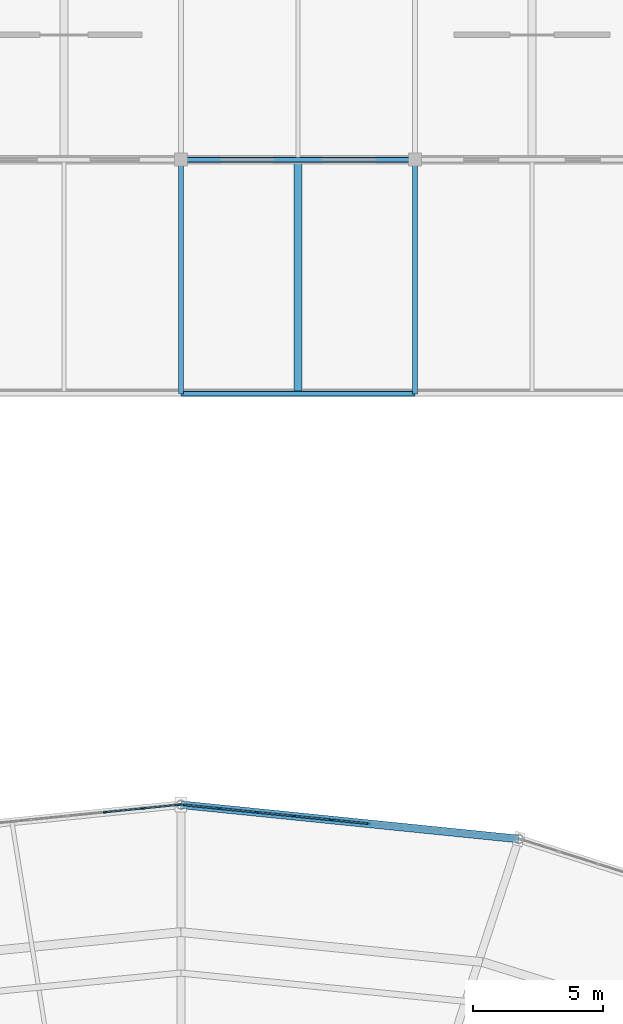
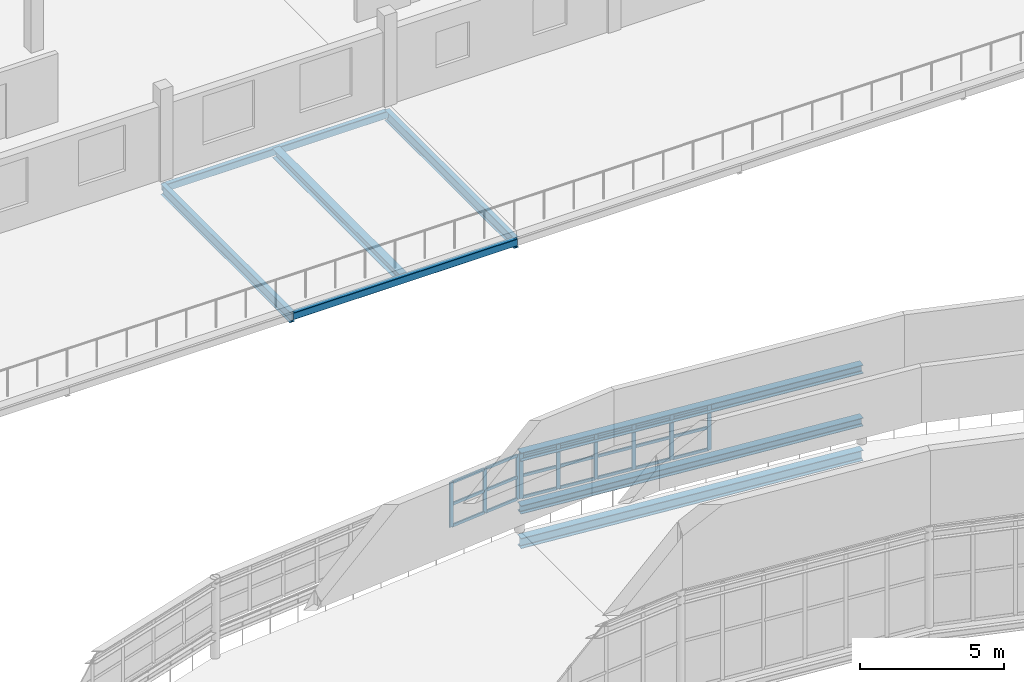
# One storey, part 74 of 123: 30 members, 8 beams, 2 elements without a shape of their own.
"""IFC4 building model written with IfcOpenShell, lengths in metres."""

from ifc_helpers import new_model, si_unit, direction, frame, origin, origin_2d, place, context, subcontext, project, spatial, rectangle, hollow_rectangle, i_section, extrude, material, material_profile, profile_set, type_object, element, aggregate, save


model = new_model("IFC4")

# Units and contexts
model_context = context("Model", 3, precision=1e-05, world=origin(), true_north=direction((0.0, 1.0)))
body_context = subcontext(model_context, "Body", "Model", "MODEL_VIEW")
ifc_project = project(units=[si_unit("LENGTHUNIT", "METRE"), si_unit("AREAUNIT", "SQUARE_METRE"), si_unit("VOLUMEUNIT", "CUBIC_METRE"), si_unit("PLANEANGLEUNIT", "RADIAN"), si_unit("MASSUNIT", "GRAM", prefix="KILO")], contexts=[model_context])

# Site, building, storey
site_placement = place(None, origin())
site = spatial("IfcSite", under=ifc_project, at=site_placement, CompositionType="ELEMENT")
building_placement = place(site_placement, origin())
building = spatial("IfcBuilding", under=site, at=building_placement, Name="Kildeholm Park Wholesale Market", CompositionType="ELEMENT")
storey_placement = place(building_placement, frame((0.0, 0.0, 9.60009765625)))
storey = spatial("IfcBuildingStorey", under=building, at=storey_placement, Name="L02", CompositionType="ELEMENT", Elevation=9.60009765625)

# Beams
ifc_material_1 = material(Name="Steel S355", Category="steel")
ifc_material_profile_1 = material_profile(ifc_material_1, i_section(OverallWidth=0.18994140625, OverallDepth=0.449951171875, WebThickness=0.009521484375, FlangeThickness=0.0146484375, FilletRadius=0.02099609375, at=origin_2d()), Name="IPE 450")
ifc_profile_set_1 = profile_set([ifc_material_profile_1], Name="Steel S355")
beam_type_1 = type_object("IfcBeamType", Name="Beam B-P02 IPE 450", PredefinedType="BEAM", material=ifc_profile_set_1)
for number, where, z_axis, x_axis, name in (
    (1, (99.0, 144.0, -0.51513671875), (0.0, 1.0, 0.0), (-1.0, 0.0, 0.0), "Beam BM-V4-L02-Y-099-144 BM-1023"),
    (2, (108.0, 144.0, -0.51513671875), (0.0, 1.0, 0.0), (-1.0, 0.0, 0.0), "Beam BM-V4-L02-Y-108-144 BM-1026"),
):
    element("IfcBeam", number, at=place(storey_placement, frame(where, z_axis=z_axis, x_axis=x_axis)), inside=storey, type_object=beam_type_1, Name=name, PredefinedType="BEAM", context=body_context, shape_type="SweptSolid", body=[
        extrude(i_section(OverallWidth=0.18994140625, OverallDepth=0.449951171875, WebThickness=0.009521484375, FlangeThickness=0.0146484375, FilletRadius=0.02099609375, at=origin_2d()), origin(), (0.0, 0.0, 1.0), 9.0),
    ])
ifc_material_profile_2 = material_profile(ifc_material_1, i_section(OverallWidth=0.300048828125, OverallDepth=0.35009765625, WebThickness=0.010009765625, FlangeThickness=0.017578125, FilletRadius=0.027099609375, at=origin_2d()), Name="HEA 360")
ifc_profile_set_2 = profile_set([ifc_material_profile_2], Name="Steel S355")
beam_type_2 = type_object("IfcBeamType", Name="Beam B-R01 HEA 360", PredefinedType="BEAM", material=ifc_profile_set_2)
beam_1_placement = place(storey_placement, frame((111.992919921875, 126.881103515625, 0.947265625), z_axis=(-0.994887827563, 0.100986189979, 0.0), x_axis=(-0.100986189979, -0.994887827563, 0.0)))
element("IfcBeam", 3, at=beam_1_placement, inside=storey, type_object=beam_type_2, Name="Beam BM-V1-S1IN-05 BM-0251", PredefinedType="BEAM", context=body_context, shape_type="SweptSolid", body=[
    extrude(i_section(OverallWidth=0.300048828125, OverallDepth=0.35009765625, WebThickness=0.010009765625, FlangeThickness=0.017578125, FilletRadius=0.027099609375, at=origin_2d()), origin(), (0.0, 0.0, 1.0), 13.0595703125),
])
ifc_material_profile_3 = material_profile(ifc_material_1, i_section(OverallWidth=0.300048828125, OverallDepth=0.43994140625, WebThickness=0.011474609375, FlangeThickness=0.02099609375, FilletRadius=0.027099609375, at=origin_2d()), Name="HEA 450")
ifc_profile_set_3 = profile_set([ifc_material_profile_3], Name="Steel S355")
beam_type_3 = type_object("IfcBeamType", Name="Beam B-R02 HEA 450", PredefinedType="BEAM", material=ifc_profile_set_3)
beam_2_placement = place(storey_placement, frame((111.992919921875, 126.881103515625, -0.47412109375), z_axis=(-0.994887827563, 0.100986189979, 0.0), x_axis=(-0.100986189979, -0.994887827563, 0.0)))
element("IfcBeam", 4, at=beam_2_placement, inside=storey, type_object=beam_type_3, Name="Beam BM-V1-L02-CM-05 BM-0054", PredefinedType="BEAM", context=body_context, shape_type="SweptSolid", body=[
    extrude(i_section(OverallWidth=0.300048828125, OverallDepth=0.43994140625, WebThickness=0.011474609375, FlangeThickness=0.02099609375, FilletRadius=0.027099609375, at=origin_2d()), origin(), (0.0, 0.0, 1.0), 13.0595703125),
])
ifc_material_profile_4 = material_profile(ifc_material_1, i_section(OverallWidth=0.300048828125, OverallDepth=0.360107421875, WebThickness=0.012451171875, FlangeThickness=0.0224609375, FilletRadius=0.027099609375, at=origin_2d()), Name="HEB 360")
ifc_profile_set_4 = profile_set([ifc_material_profile_4], Name="Steel S355")
beam_type_4 = type_object("IfcBeamType", Name="Beam B-R03 HEB 360", PredefinedType="BEAM", material=ifc_profile_set_4)
beam_3_placement = place(storey_placement, frame((111.992919921875, 126.881103515625, 3.189453125), z_axis=(-0.994887827563, 0.100986189979, 0.0), x_axis=(-0.100986189979, -0.994887827563, 0.0)))
element("IfcBeam", 5, at=beam_3_placement, inside=storey, type_object=beam_type_4, Name="Beam BM-V1-RF-M1-05 BM-0252", PredefinedType="BEAM", context=body_context, shape_type="SweptSolid", body=[
    extrude(i_section(OverallWidth=0.300048828125, OverallDepth=0.360107421875, WebThickness=0.012451171875, FlangeThickness=0.0224609375, FilletRadius=0.027099609375, at=origin_2d()), origin(), (0.0, 0.0, 1.0), 13.0595703125),
])
ifc_material_profile_5 = material_profile(ifc_material_1, i_section(OverallWidth=0.300048828125, OverallDepth=0.389892578125, WebThickness=0.010986328125, FlangeThickness=0.01904296875, FilletRadius=0.027099609375, at=origin_2d()), Name="HEA 400")
ifc_profile_set_5 = profile_set([ifc_material_profile_5], Name="Steel S355")
beam_type_5 = type_object("IfcBeamType", Name="Beam J-06 HEA 400", PredefinedType="JOIST", material=ifc_profile_set_5)
beam_4_placement = place(storey_placement, frame((103.5, 144.0849609375, -0.485107421875), z_axis=(0.0, 1.0, 0.0), x_axis=(-1.0, 0.0, 0.0)))
element("IfcBeam", 6, at=beam_4_placement, inside=storey, type_object=beam_type_5, Name="Beam JT-V4-L02-099-144 BM-1024", PredefinedType="JOIST", context=body_context, shape_type="SweptSolid", body=[
    extrude(i_section(OverallWidth=0.300048828125, OverallDepth=0.389892578125, WebThickness=0.010986328125, FlangeThickness=0.01904296875, FilletRadius=0.027099609375, at=origin_2d()), origin(), (0.0, 0.0, 1.0), 8.830078125),
])
ifc_material_profile_6 = material_profile(ifc_material_1, hollow_rectangle(XDim=0.199951171875, YDim=0.300048828125, WallThickness=0.012451171875, InnerFilletRadius=0.012451171875, OuterFilletRadius=0.02490234375, at=origin_2d()), Name="RHS 300x200x12.5")
ifc_profile_set_6 = profile_set([ifc_material_profile_6], Name="Steel S355")
beam_type_6 = type_object("IfcBeamType", Name="Beam SP-01 RHS 300x200x12.5", PredefinedType="SPANDREL", material=ifc_profile_set_6)
for number, where, z_axis, x_axis, name in (
    (7, (99.0, 153.0, -0.47412109375), (1.0, 0.0, 0.0), (0.0, 1.0, 0.0), "Beam BM-V4-L02-X-099-153 BM-0833"),
    (8, (99.0, 144.0, -0.440185546875), (1.0, 0.0, 0.0), (0.0, 1.0, 0.0), "Beam BM-V4-L02-X-099-144 BM-1022"),
):
    element("IfcBeam", number, at=place(storey_placement, frame(where, z_axis=z_axis, x_axis=x_axis)), inside=storey, type_object=beam_type_6, Name=name, PredefinedType="SPANDREL", context=body_context, shape_type="SweptSolid", body=[
        extrude(hollow_rectangle(XDim=0.199951171875, YDim=0.300048828125, WallThickness=0.012451171875, InnerFilletRadius=0.012451171875, OuterFilletRadius=0.02490234375, at=origin_2d()), origin(), (0.0, 0.0, 1.0), 9.0),
    ])

# Curtain wall, members
ifc_material_2 = material(Name="Anodised aluminium and low-E double-glazed glass", Category="aluminium")
curtain_wall_type = type_object("IfcCurtainWallType", Name="Clerestory daylight stick curtain wall CW-02", PredefinedType="NOTDEFINED", material=ifc_material_2)
curtain_wall_1_placement = place(storey_placement, origin())
curtain_wall_1 = element("IfcCurtainWall", 9, at=curtain_wall_1_placement, inside=storey, type_object=curtain_wall_type, Name="Curtain wall CW-V1-CL-05 CW-0027", PredefinedType="NOTDEFINED")
ifc_material_3 = material(Name="Anodised aluminium", Category="aluminium")
ifc_material_profile_7 = material_profile(ifc_material_3, rectangle(XDim=0.06005859375, YDim=0.14990234375, at=origin_2d()), Name="CWM 60x150")
ifc_profile_set_7 = profile_set([ifc_material_profile_7], Name="Anodised aluminium")
member_type_1 = type_object("IfcMemberType", Name="Curtain-wall mullion CWM-3 CWM 60x150", PredefinedType="MULLION", material=ifc_profile_set_7)
member_1_placement = place(storey_placement, frame((106.21435546875, 127.4716796875, 1.349853515625), z_axis=(0.0, 0.0, 1.0), x_axis=(-0.100998628351, -0.994886564926, 0.0)))
member_1 = element("IfcMember", 10, at=member_1_placement, type_object=member_type_1, Name="CW-02 mullion 5 MEM-1112", PredefinedType="MULLION", context=body_context, shape_type="SweptSolid", body=[
    extrude(rectangle(XDim=0.06005859375, YDim=0.14990234375, at=origin_2d()), origin(), (0.0, 0.0, 1.0), 1.900146484375),
])
member_2_placement = place(storey_placement, frame((104.779541015625, 127.617431640625, 1.349853515625), z_axis=(0.0, 0.0, 1.0), x_axis=(-0.100998628351, -0.994886564926, 0.0)))
member_2 = element("IfcMember", 11, at=member_2_placement, type_object=member_type_1, Name="CW-02 mullion 6 MEM-1113", PredefinedType="MULLION", context=body_context, shape_type="SweptSolid", body=[
    extrude(rectangle(XDim=0.06005859375, YDim=0.14990234375, at=origin_2d()), origin(), (0.0, 0.0, 1.0), 1.900146484375),
])
member_3_placement = place(storey_placement, frame((103.3447265625, 127.762939453125, 1.349853515625), z_axis=(0.0, 0.0, 1.0), x_axis=(-0.100998628351, -0.994886564926, 0.0)))
member_3 = element("IfcMember", 12, at=member_3_placement, type_object=member_type_1, Name="CW-02 mullion 7 MEM-1114", PredefinedType="MULLION", context=body_context, shape_type="SweptSolid", body=[
    extrude(rectangle(XDim=0.06005859375, YDim=0.14990234375, at=origin_2d()), origin(), (0.0, 0.0, 1.0), 1.900146484375),
])
member_4_placement = place(storey_placement, frame((101.90966796875, 127.90869140625, 1.349853515625), z_axis=(0.0, 0.0, 1.0), x_axis=(-0.100998628351, -0.994886564926, 0.0)))
member_4 = element("IfcMember", 13, at=member_4_placement, type_object=member_type_1, Name="CW-02 mullion 8 MEM-1115", PredefinedType="MULLION", context=body_context, shape_type="SweptSolid", body=[
    extrude(rectangle(XDim=0.06005859375, YDim=0.14990234375, at=origin_2d()), origin(), (0.0, 0.0, 1.0), 1.900146484375),
])
member_5_placement = place(storey_placement, frame((100.474853515625, 128.054443359375, 1.349853515625), z_axis=(0.0, 0.0, 1.0), x_axis=(-0.100998628351, -0.994886564926, 0.0)))
member_5 = element("IfcMember", 14, at=member_5_placement, type_object=member_type_1, Name="CW-02 mullion 9 MEM-1116", PredefinedType="MULLION", context=body_context, shape_type="SweptSolid", body=[
    extrude(rectangle(XDim=0.06005859375, YDim=0.14990234375, at=origin_2d()), origin(), (0.0, 0.0, 1.0), 1.900146484375),
])
member_6_placement = place(storey_placement, frame((99.06982421875, 128.197021484375, 1.349853515625), z_axis=(0.0, 0.0, 1.0), x_axis=(-0.100998628351, -0.994886564926, 0.0)))
member_6 = element("IfcMember", 15, at=member_6_placement, type_object=member_type_1, Name="CW-02 mullion 10 MEM-1117", PredefinedType="MULLION", context=body_context, shape_type="SweptSolid", body=[
    extrude(rectangle(XDim=0.06005859375, YDim=0.14990234375, at=origin_2d()), origin(), (0.0, 0.0, 1.0), 1.900146484375),
])

curtain_wall_2_placement = place(storey_placement, origin())
curtain_wall_2 = element("IfcCurtainWall", 16, at=curtain_wall_2_placement, inside=storey, type_object=curtain_wall_type, Name="Curtain wall CW-V1-CL-06 CW-0031", PredefinedType="NOTDEFINED")
member_7_placement = place(storey_placement, frame((98.93017578125, 128.197021484375, 1.349853515625), z_axis=(0.0, 0.0, 1.0), x_axis=(0.100998628351, -0.994886564926, 0.0)))
member_7 = element("IfcMember", 17, at=member_7_placement, type_object=member_type_1, Name="CW-02 mullion 1 MEM-1236", PredefinedType="MULLION", context=body_context, shape_type="SweptSolid", body=[
    extrude(rectangle(XDim=0.06005859375, YDim=0.14990234375, at=origin_2d()), origin(), (0.0, 0.0, 1.0), 1.900146484375),
])
member_8_placement = place(storey_placement, frame((97.525146484375, 128.054443359375, 1.349853515625), z_axis=(0.0, 0.0, 1.0), x_axis=(0.100998628351, -0.994886564926, 0.0)))
member_8 = element("IfcMember", 18, at=member_8_placement, type_object=member_type_1, Name="CW-02 mullion 2 MEM-1237", PredefinedType="MULLION", context=body_context, shape_type="SweptSolid", body=[
    extrude(rectangle(XDim=0.06005859375, YDim=0.14990234375, at=origin_2d()), origin(), (0.0, 0.0, 1.0), 1.900146484375),
])
member_9_placement = place(storey_placement, frame((96.09033203125, 127.90869140625, 1.349853515625), z_axis=(0.0, 0.0, 1.0), x_axis=(0.100998628351, -0.994886564926, 0.0)))
member_9 = element("IfcMember", 19, at=member_9_placement, type_object=member_type_1, Name="CW-02 mullion 3 MEM-1238", PredefinedType="MULLION", context=body_context, shape_type="SweptSolid", body=[
    extrude(rectangle(XDim=0.06005859375, YDim=0.14990234375, at=origin_2d()), origin(), (0.0, 0.0, 1.0), 1.900146484375),
])

# Member
ifc_material_profile_8 = material_profile(ifc_material_3, rectangle(XDim=0.06005859375, YDim=0.1201171875, at=origin_2d()), Name="CWT 60x120")
ifc_profile_set_8 = profile_set([ifc_material_profile_8], Name="Anodised aluminium")
member_type_2 = type_object("IfcMemberType", Name="Curtain-wall transom CWT-3 CWT 60x120", PredefinedType="USERDEFINED", material=ifc_profile_set_8)
member_10_placement = place(storey_placement, frame((106.1845703125, 127.474609375, 1.3798828125), z_axis=(-0.994883891691, 0.10102495758, 0.0), x_axis=(-0.10102495758, -0.994883891691, 0.0)))
member_10 = element("IfcMember", 20, at=member_10_placement, type_object=member_type_2, Name="CW-02 transom 5.1 MEM-1130", ObjectType="TRANSOM", PredefinedType="USERDEFINED", context=body_context, shape_type="SweptSolid", body=[
    extrude(rectangle(XDim=0.06005859375, YDim=0.1201171875, at=origin_2d()), origin(), (0.0, 0.0, 1.0), 1.38232421875),
])

member_11_placement = place(storey_placement, frame((106.1845703125, 127.474609375, 2.2998046875), z_axis=(-0.994883891691, 0.10102495758, 0.0), x_axis=(-0.10102495758, -0.994883891691, 0.0)))
member_11 = element("IfcMember", 21, at=member_11_placement, type_object=member_type_2, Name="CW-02 transom 5.2 MEM-1131", ObjectType="TRANSOM", PredefinedType="USERDEFINED", context=body_context, shape_type="SweptSolid", body=[
    extrude(rectangle(XDim=0.06005859375, YDim=0.1201171875, at=origin_2d()), origin(), (0.0, 0.0, 1.0), 1.38232421875),
])

member_12_placement = place(storey_placement, frame((106.1845703125, 127.474609375, 3.219970703125), z_axis=(-0.994883891691, 0.10102495758, 0.0), x_axis=(-0.10102495758, -0.994883891691, 0.0)))
member_12 = element("IfcMember", 22, at=member_12_placement, type_object=member_type_2, Name="CW-02 transom 5.3 MEM-1132", ObjectType="TRANSOM", PredefinedType="USERDEFINED", context=body_context, shape_type="SweptSolid", body=[
    extrude(rectangle(XDim=0.06005859375, YDim=0.1201171875, at=origin_2d()), origin(), (0.0, 0.0, 1.0), 1.38232421875),
])

member_13_placement = place(storey_placement, frame((104.749755859375, 127.620361328125, 1.3798828125), z_axis=(-0.994883891691, 0.10102495758, 0.0), x_axis=(-0.10102495758, -0.994883891691, 0.0)))
member_13 = element("IfcMember", 23, at=member_13_placement, type_object=member_type_2, Name="CW-02 transom 6.1 MEM-1133", ObjectType="TRANSOM", PredefinedType="USERDEFINED", context=body_context, shape_type="SweptSolid", body=[
    extrude(rectangle(XDim=0.06005859375, YDim=0.1201171875, at=origin_2d()), origin(), (0.0, 0.0, 1.0), 1.38232421875),
])

member_14_placement = place(storey_placement, frame((104.749755859375, 127.620361328125, 2.2998046875), z_axis=(-0.994883891691, 0.10102495758, 0.0), x_axis=(-0.10102495758, -0.994883891691, 0.0)))
member_14 = element("IfcMember", 24, at=member_14_placement, type_object=member_type_2, Name="CW-02 transom 6.2 MEM-1134", ObjectType="TRANSOM", PredefinedType="USERDEFINED", context=body_context, shape_type="SweptSolid", body=[
    extrude(rectangle(XDim=0.06005859375, YDim=0.1201171875, at=origin_2d()), origin(), (0.0, 0.0, 1.0), 1.38232421875),
])

member_15_placement = place(storey_placement, frame((104.749755859375, 127.620361328125, 3.219970703125), z_axis=(-0.994883891691, 0.10102495758, 0.0), x_axis=(-0.10102495758, -0.994883891691, 0.0)))
member_15 = element("IfcMember", 25, at=member_15_placement, type_object=member_type_2, Name="CW-02 transom 6.3 MEM-1135", ObjectType="TRANSOM", PredefinedType="USERDEFINED", context=body_context, shape_type="SweptSolid", body=[
    extrude(rectangle(XDim=0.06005859375, YDim=0.1201171875, at=origin_2d()), origin(), (0.0, 0.0, 1.0), 1.38232421875),
])

member_16_placement = place(storey_placement, frame((103.31494140625, 127.76611328125, 1.3798828125), z_axis=(-0.994901628094, 0.100850138406, 0.0), x_axis=(-0.100850138406, -0.994901628094, 0.0)))
member_16 = element("IfcMember", 26, at=member_16_placement, type_object=member_type_2, Name="CW-02 transom 7.1 MEM-1136", ObjectType="TRANSOM", PredefinedType="USERDEFINED", context=body_context, shape_type="SweptSolid", body=[
    extrude(rectangle(XDim=0.06005859375, YDim=0.1201171875, at=origin_2d()), origin(), (0.0, 0.0, 1.0), 1.38232421875),
])

member_17_placement = place(storey_placement, frame((103.31494140625, 127.76611328125, 2.2998046875), z_axis=(-0.994901628094, 0.100850138406, 0.0), x_axis=(-0.100850138406, -0.994901628094, 0.0)))
member_17 = element("IfcMember", 27, at=member_17_placement, type_object=member_type_2, Name="CW-02 transom 7.2 MEM-1137", ObjectType="TRANSOM", PredefinedType="USERDEFINED", context=body_context, shape_type="SweptSolid", body=[
    extrude(rectangle(XDim=0.06005859375, YDim=0.1201171875, at=origin_2d()), origin(), (0.0, 0.0, 1.0), 1.38232421875),
])

member_18_placement = place(storey_placement, frame((103.31494140625, 127.76611328125, 3.219970703125), z_axis=(-0.994901628094, 0.100850138406, 0.0), x_axis=(-0.100850138406, -0.994901628094, 0.0)))
member_18 = element("IfcMember", 28, at=member_18_placement, type_object=member_type_2, Name="CW-02 transom 7.3 MEM-1138", ObjectType="TRANSOM", PredefinedType="USERDEFINED", context=body_context, shape_type="SweptSolid", body=[
    extrude(rectangle(XDim=0.06005859375, YDim=0.1201171875, at=origin_2d()), origin(), (0.0, 0.0, 1.0), 1.38232421875),
])

member_19_placement = place(storey_placement, frame((101.8798828125, 127.91162109375, 1.3798828125), z_axis=(-0.994883891691, 0.10102495758, 0.0), x_axis=(-0.10102495758, -0.994883891691, 0.0)))
member_19 = element("IfcMember", 29, at=member_19_placement, type_object=member_type_2, Name="CW-02 transom 8.1 MEM-1139", ObjectType="TRANSOM", PredefinedType="USERDEFINED", context=body_context, shape_type="SweptSolid", body=[
    extrude(rectangle(XDim=0.06005859375, YDim=0.1201171875, at=origin_2d()), origin(), (0.0, 0.0, 1.0), 1.38232421875),
])

member_20_placement = place(storey_placement, frame((101.8798828125, 127.91162109375, 2.2998046875), z_axis=(-0.994883891691, 0.10102495758, 0.0), x_axis=(-0.10102495758, -0.994883891691, 0.0)))
member_20 = element("IfcMember", 30, at=member_20_placement, type_object=member_type_2, Name="CW-02 transom 8.2 MEM-1140", ObjectType="TRANSOM", PredefinedType="USERDEFINED", context=body_context, shape_type="SweptSolid", body=[
    extrude(rectangle(XDim=0.06005859375, YDim=0.1201171875, at=origin_2d()), origin(), (0.0, 0.0, 1.0), 1.38232421875),
])

member_21_placement = place(storey_placement, frame((101.8798828125, 127.91162109375, 3.219970703125), z_axis=(-0.994883891691, 0.10102495758, 0.0), x_axis=(-0.10102495758, -0.994883891691, 0.0)))
member_21 = element("IfcMember", 31, at=member_21_placement, type_object=member_type_2, Name="CW-02 transom 8.3 MEM-1141", ObjectType="TRANSOM", PredefinedType="USERDEFINED", context=body_context, shape_type="SweptSolid", body=[
    extrude(rectangle(XDim=0.06005859375, YDim=0.1201171875, at=origin_2d()), origin(), (0.0, 0.0, 1.0), 1.38232421875),
])

member_22_placement = place(storey_placement, frame((100.445068359375, 128.057373046875, 1.3798828125), z_axis=(-0.994894982479, 0.100915676866, 0.0), x_axis=(-0.100915676866, -0.994894982479, 0.0)))
member_22 = element("IfcMember", 32, at=member_22_placement, type_object=member_type_2, Name="CW-02 transom 9.1 MEM-1142", ObjectType="TRANSOM", PredefinedType="USERDEFINED", context=body_context, shape_type="SweptSolid", body=[
    extrude(rectangle(XDim=0.06005859375, YDim=0.1201171875, at=origin_2d()), origin(), (0.0, 0.0, 1.0), 1.352294921875),
])

member_23_placement = place(storey_placement, frame((100.445068359375, 128.057373046875, 2.2998046875), z_axis=(-0.994894982479, 0.100915676866, 0.0), x_axis=(-0.100915676866, -0.994894982479, 0.0)))
member_23 = element("IfcMember", 33, at=member_23_placement, type_object=member_type_2, Name="CW-02 transom 9.2 MEM-1143", ObjectType="TRANSOM", PredefinedType="USERDEFINED", context=body_context, shape_type="SweptSolid", body=[
    extrude(rectangle(XDim=0.06005859375, YDim=0.1201171875, at=origin_2d()), origin(), (0.0, 0.0, 1.0), 1.352294921875),
])

member_24_placement = place(storey_placement, frame((100.445068359375, 128.057373046875, 3.219970703125), z_axis=(-0.994894982479, 0.100915676866, 0.0), x_axis=(-0.100915676866, -0.994894982479, 0.0)))
member_24 = element("IfcMember", 34, at=member_24_placement, type_object=member_type_2, Name="CW-02 transom 9.3 MEM-1144", ObjectType="TRANSOM", PredefinedType="USERDEFINED", context=body_context, shape_type="SweptSolid", body=[
    extrude(rectangle(XDim=0.06005859375, YDim=0.1201171875, at=origin_2d()), origin(), (0.0, 0.0, 1.0), 1.352294921875),
])

aggregate(curtain_wall_1, [member_1, member_2, member_3, member_4, member_5, member_6, member_10, member_11, member_12, member_13, member_14, member_15, member_16, member_17, member_18, member_19, member_20, member_21, member_22, member_23, member_24])

member_25_placement = place(storey_placement, frame((98.900390625, 128.19384765625, 1.3798828125), z_axis=(-0.994894982479, -0.100915676866, 0.0), x_axis=(0.100915676866, -0.994894982479, 0.0)))
member_25 = element("IfcMember", 35, at=member_25_placement, type_object=member_type_2, Name="CW-02 transom 1.1 MEM-1246", ObjectType="TRANSOM", PredefinedType="USERDEFINED", context=body_context, shape_type="SweptSolid", body=[
    extrude(rectangle(XDim=0.06005859375, YDim=0.1201171875, at=origin_2d()), origin(), (0.0, 0.0, 1.0), 1.352294921875),
])

member_26_placement = place(storey_placement, frame((98.900390625, 128.19384765625, 2.2998046875), z_axis=(-0.994894982479, -0.100915676866, 0.0), x_axis=(0.100915676866, -0.994894982479, 0.0)))
member_26 = element("IfcMember", 36, at=member_26_placement, type_object=member_type_2, Name="CW-02 transom 1.2 MEM-1247", ObjectType="TRANSOM", PredefinedType="USERDEFINED", context=body_context, shape_type="SweptSolid", body=[
    extrude(rectangle(XDim=0.06005859375, YDim=0.1201171875, at=origin_2d()), origin(), (0.0, 0.0, 1.0), 1.352294921875),
])

member_27_placement = place(storey_placement, frame((98.900390625, 128.19384765625, 3.219970703125), z_axis=(-0.994894982479, -0.100915676866, 0.0), x_axis=(0.100915676866, -0.994894982479, 0.0)))
member_27 = element("IfcMember", 37, at=member_27_placement, type_object=member_type_2, Name="CW-02 transom 1.3 MEM-1248", ObjectType="TRANSOM", PredefinedType="USERDEFINED", context=body_context, shape_type="SweptSolid", body=[
    extrude(rectangle(XDim=0.06005859375, YDim=0.1201171875, at=origin_2d()), origin(), (0.0, 0.0, 1.0), 1.352294921875),
])

member_28_placement = place(storey_placement, frame((97.495361328125, 128.05126953125, 1.3798828125), z_axis=(-0.994883891691, -0.10102495758, 0.0), x_axis=(0.10102495758, -0.994883891691, 0.0)))
member_28 = element("IfcMember", 38, at=member_28_placement, type_object=member_type_2, Name="CW-02 transom 2.1 MEM-1249", ObjectType="TRANSOM", PredefinedType="USERDEFINED", context=body_context, shape_type="SweptSolid", body=[
    extrude(rectangle(XDim=0.06005859375, YDim=0.1201171875, at=origin_2d()), origin(), (0.0, 0.0, 1.0), 1.38232421875),
])

member_29_placement = place(storey_placement, frame((97.495361328125, 128.05126953125, 2.2998046875), z_axis=(-0.994883891691, -0.10102495758, 0.0), x_axis=(0.10102495758, -0.994883891691, 0.0)))
member_29 = element("IfcMember", 39, at=member_29_placement, type_object=member_type_2, Name="CW-02 transom 2.2 MEM-1250", ObjectType="TRANSOM", PredefinedType="USERDEFINED", context=body_context, shape_type="SweptSolid", body=[
    extrude(rectangle(XDim=0.06005859375, YDim=0.1201171875, at=origin_2d()), origin(), (0.0, 0.0, 1.0), 1.38232421875),
])

member_30_placement = place(storey_placement, frame((97.495361328125, 128.05126953125, 3.219970703125), z_axis=(-0.994883891691, -0.10102495758, 0.0), x_axis=(0.10102495758, -0.994883891691, 0.0)))
member_30 = element("IfcMember", 40, at=member_30_placement, type_object=member_type_2, Name="CW-02 transom 2.3 MEM-1251", ObjectType="TRANSOM", PredefinedType="USERDEFINED", context=body_context, shape_type="SweptSolid", body=[
    extrude(rectangle(XDim=0.06005859375, YDim=0.1201171875, at=origin_2d()), origin(), (0.0, 0.0, 1.0), 1.38232421875),
])

aggregate(curtain_wall_2, [member_7, member_8, member_9, member_25, member_26, member_27, member_28, member_29, member_30])

save(model, "model.ifc")
